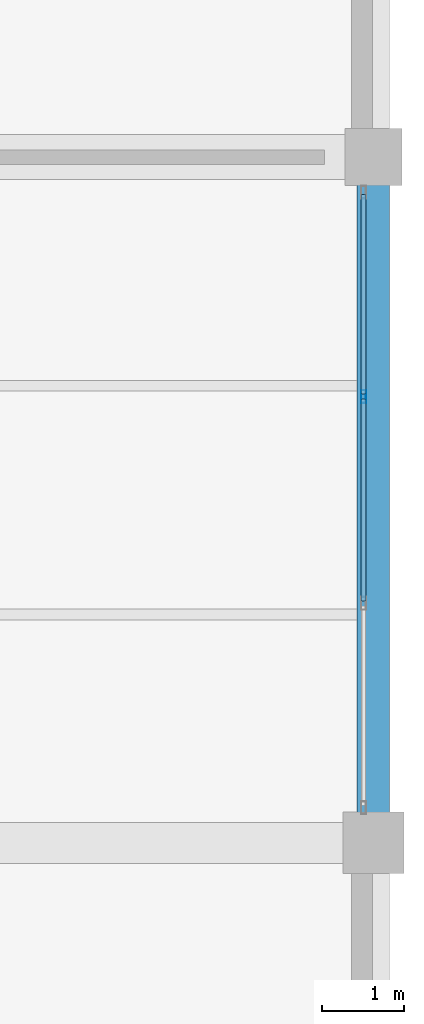
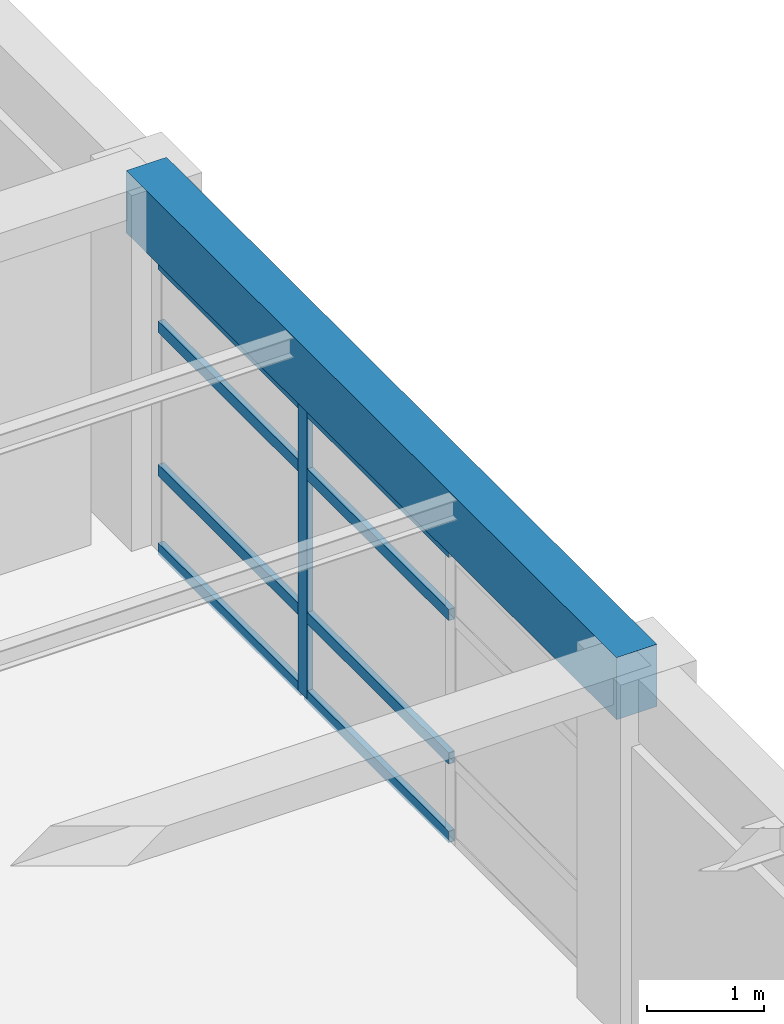
# One storey, part 16 of 31: 9 members, 1 beam, 1 element without a shape of its own.
"""IFC4 building model written with IfcOpenShell, lengths in metres."""

from ifc_helpers import new_model, si_unit, direction, frame, origin, origin_2d, place, context, subcontext, project, spatial, rectangle, hollow_rectangle, extrude, material, material_profile, profile_set, type_object, element, aggregate, save


model = new_model("IFC4")

# Units and contexts
model_context = context("Model", 3, precision=1e-05, world=origin(), true_north=direction((0.0, 1.0)))
body_context = subcontext(model_context, "Body", "Model", "MODEL_VIEW")
ifc_project = project(units=[si_unit("LENGTHUNIT", "METRE"), si_unit("AREAUNIT", "SQUARE_METRE"), si_unit("VOLUMEUNIT", "CUBIC_METRE"), si_unit("PLANEANGLEUNIT", "RADIAN"), si_unit("MASSUNIT", "GRAM", prefix="KILO")], contexts=[model_context])

# Site, building, storey
site_placement = place(None, origin())
site = spatial("IfcSite", under=ifc_project, at=site_placement, CompositionType="ELEMENT")
building_placement = place(site_placement, origin())
building = spatial("IfcBuilding", under=site, at=building_placement, Name="Almacenes y Pasaje Nevantli", CompositionType="ELEMENT")
storey_placement = place(building_placement, frame((0.0, 0.0, 34.699951171875)))
storey = spatial("IfcBuildingStorey", under=building, at=storey_placement, Name="L08", CompositionType="ELEMENT", Elevation=34.699951171875)

# Beam
ifc_material_1 = material(Name="Concrete C35/45", Category="concrete")
ifc_material_profile_1 = material_profile(ifc_material_1, rectangle(XDim=0.39990234375, YDim=0.64990234375, at=origin_2d()), Name="RC-BM-400x650")
ifc_profile_set_1 = profile_set([ifc_material_profile_1], Name="Concrete C35/45")
beam_type = type_object("IfcBeamType", Name="BM-RC-400x650", PredefinedType="SPANDREL", material=ifc_profile_set_1)
beam_placement = place(storey_placement, frame((159.60009765625, 75.60009765625, 3.39501953125), z_axis=(0.0, 1.0, 0.0), x_axis=(-1.0, 0.0, 0.0)))
element("IfcBeam", 1, at=beam_placement, inside=storey, type_object=beam_type, Name="L08 North-South Reinforced Concrete Beam #3738", PredefinedType="SPANDREL", context=body_context, shape_type="SweptSolid", body=[
    extrude(rectangle(XDim=0.39990234375, YDim=0.64990234375, at=origin_2d()), origin(), (0.0, 0.0, 1.0), 8.39990234375),
])

# Curtain wall, members
ifc_material_2 = material(Name="Thermally Broken Aluminium and Low-E Glass", Category="aluminium")
curtain_wall_type = type_object("IfcCurtainWallType", Name="CW-UNIT-TOWER", PredefinedType="USERDEFINED", material=ifc_material_2)
curtain_wall_placement = place(storey_placement, origin())
curtain_wall = element("IfcCurtainWall", 2, at=curtain_wall_placement, inside=storey, type_object=curtain_wall_type, Name="L08 Tower East Curtain Wall Bay 10", ObjectType="UNITIZED CURTAIN WALL", PredefinedType="USERDEFINED")
ifc_material_3 = material(Name="Thermally Broken Anodized Aluminium", Category="aluminium")
ifc_material_profile_2 = material_profile(ifc_material_3, hollow_rectangle(XDim=0.06005859375, YDim=0.159912109375, WallThickness=0.00390625, at=origin_2d()), Name="ALU-MUL-60x160")
ifc_profile_set_2 = profile_set([ifc_material_profile_2], Name="Thermally Broken Anodized Aluminium")
member_type_1 = type_object("IfcMemberType", Name="CW-MUL-180", PredefinedType="MULLION", material=ifc_profile_set_2)
member_1_placement = place(storey_placement, frame((159.47998046875, 81.066650390625, 0.0), z_axis=(0.0, 0.0, 1.0), x_axis=(-1.0, 0.0, 0.0)))
member_1 = element("IfcMember", 3, at=member_1_placement, type_object=member_type_1, Name="CW-L08-128 mullion 3", PredefinedType="MULLION", context=body_context, shape_type="SweptSolid", body=[
    extrude(hollow_rectangle(XDim=0.06005859375, YDim=0.159912109375, WallThickness=0.00390625, at=origin_2d()), origin(), (0.0, 0.0, 1.0), 3.0400390625),
])
ifc_material_4 = material(Name="Thermally Broken Anodized Aluminium", Category="aluminium")
ifc_material_profile_3 = material_profile(ifc_material_4, hollow_rectangle(XDim=0.06005859375, YDim=0.1201171875, WallThickness=0.00341796875, at=origin_2d()), Name="ALU-TRN-60x120")
ifc_profile_set_3 = profile_set([ifc_material_profile_3], Name="Thermally Broken Anodized Aluminium")
member_type_2 = type_object("IfcMemberType", Name="CW-TRN-130", PredefinedType="USERDEFINED", material=ifc_profile_set_3)
member_2_placement = place(storey_placement, frame((159.47998046875, 78.563232421875, 0.030029296875), z_axis=(0.0, 1.0, 0.0), x_axis=(-1.0, 0.0, 0.0)))
member_2 = element("IfcMember", 4, at=member_2_placement, type_object=member_type_2, Name="CW-L08-128 transom 2.1", ObjectType="TRANSOM", PredefinedType="USERDEFINED", context=body_context, shape_type="SweptSolid", body=[
    extrude(hollow_rectangle(XDim=0.06005859375, YDim=0.1201171875, WallThickness=0.00341796875, at=origin_2d()), origin(), (0.0, 0.0, 1.0), 2.473388671875),
])
member_3_placement = place(storey_placement, frame((159.47998046875, 78.563232421875, 0.85009765625), z_axis=(0.0, 1.0, 0.0), x_axis=(-1.0, 0.0, 0.0)))
member_3 = element("IfcMember", 5, at=member_3_placement, type_object=member_type_2, Name="CW-L08-128 transom 2.2", ObjectType="TRANSOM", PredefinedType="USERDEFINED", context=body_context, shape_type="SweptSolid", body=[
    extrude(hollow_rectangle(XDim=0.06005859375, YDim=0.1201171875, WallThickness=0.00341796875, at=origin_2d()), origin(), (0.0, 0.0, 1.0), 2.473388671875),
])
member_4_placement = place(storey_placement, frame((159.47998046875, 78.563232421875, 2.35009765625), z_axis=(0.0, 1.0, 0.0), x_axis=(-1.0, 0.0, 0.0)))
member_4 = element("IfcMember", 6, at=member_4_placement, type_object=member_type_2, Name="CW-L08-128 transom 2.3", ObjectType="TRANSOM", PredefinedType="USERDEFINED", context=body_context, shape_type="SweptSolid", body=[
    extrude(hollow_rectangle(XDim=0.06005859375, YDim=0.1201171875, WallThickness=0.00341796875, at=origin_2d()), origin(), (0.0, 0.0, 1.0), 2.473388671875),
])
member_5_placement = place(storey_placement, frame((159.47998046875, 78.563232421875, 3.010009765625), z_axis=(0.0, 1.0, 0.0), x_axis=(-1.0, 0.0, 0.0)))
member_5 = element("IfcMember", 7, at=member_5_placement, type_object=member_type_2, Name="CW-L08-128 transom 2.4", ObjectType="TRANSOM", PredefinedType="USERDEFINED", context=body_context, shape_type="SweptSolid", body=[
    extrude(hollow_rectangle(XDim=0.06005859375, YDim=0.1201171875, WallThickness=0.00341796875, at=origin_2d()), origin(), (0.0, 0.0, 1.0), 2.473388671875),
])
member_6_placement = place(storey_placement, frame((159.47998046875, 81.0966796875, 0.030029296875), z_axis=(0.0, 1.0, 0.0), x_axis=(-1.0, 0.0, 0.0)))
member_6 = element("IfcMember", 8, at=member_6_placement, type_object=member_type_2, Name="CW-L08-128 transom 3.1", ObjectType="TRANSOM", PredefinedType="USERDEFINED", context=body_context, shape_type="SweptSolid", body=[
    extrude(hollow_rectangle(XDim=0.06005859375, YDim=0.1201171875, WallThickness=0.00341796875, at=origin_2d()), origin(), (0.0, 0.0, 1.0), 2.443359375),
])
member_7_placement = place(storey_placement, frame((159.47998046875, 81.0966796875, 0.85009765625), z_axis=(0.0, 1.0, 0.0), x_axis=(-1.0, 0.0, 0.0)))
member_7 = element("IfcMember", 9, at=member_7_placement, type_object=member_type_2, Name="CW-L08-128 transom 3.2", ObjectType="TRANSOM", PredefinedType="USERDEFINED", context=body_context, shape_type="SweptSolid", body=[
    extrude(hollow_rectangle(XDim=0.06005859375, YDim=0.1201171875, WallThickness=0.00341796875, at=origin_2d()), origin(), (0.0, 0.0, 1.0), 2.443359375),
])
member_8_placement = place(storey_placement, frame((159.47998046875, 81.0966796875, 2.35009765625), z_axis=(0.0, 1.0, 0.0), x_axis=(-1.0, 0.0, 0.0)))
member_8 = element("IfcMember", 10, at=member_8_placement, type_object=member_type_2, Name="CW-L08-128 transom 3.3", ObjectType="TRANSOM", PredefinedType="USERDEFINED", context=body_context, shape_type="SweptSolid", body=[
    extrude(hollow_rectangle(XDim=0.06005859375, YDim=0.1201171875, WallThickness=0.00341796875, at=origin_2d()), origin(), (0.0, 0.0, 1.0), 2.443359375),
])
member_9_placement = place(storey_placement, frame((159.47998046875, 81.0966796875, 3.010009765625), z_axis=(0.0, 1.0, 0.0), x_axis=(-1.0, 0.0, 0.0)))
member_9 = element("IfcMember", 11, at=member_9_placement, type_object=member_type_2, Name="CW-L08-128 transom 3.4", ObjectType="TRANSOM", PredefinedType="USERDEFINED", context=body_context, shape_type="SweptSolid", body=[
    extrude(hollow_rectangle(XDim=0.06005859375, YDim=0.1201171875, WallThickness=0.00341796875, at=origin_2d()), origin(), (0.0, 0.0, 1.0), 2.443359375),
])
aggregate(curtain_wall, [member_1, member_2, member_3, member_4, member_5, member_6, member_7, member_8, member_9])

save(model, "model.ifc")
